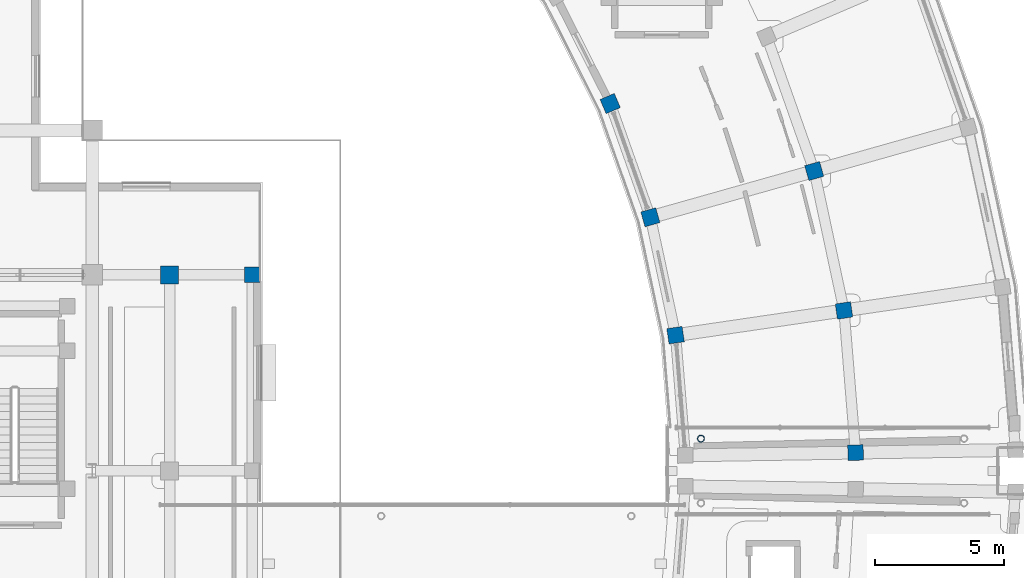
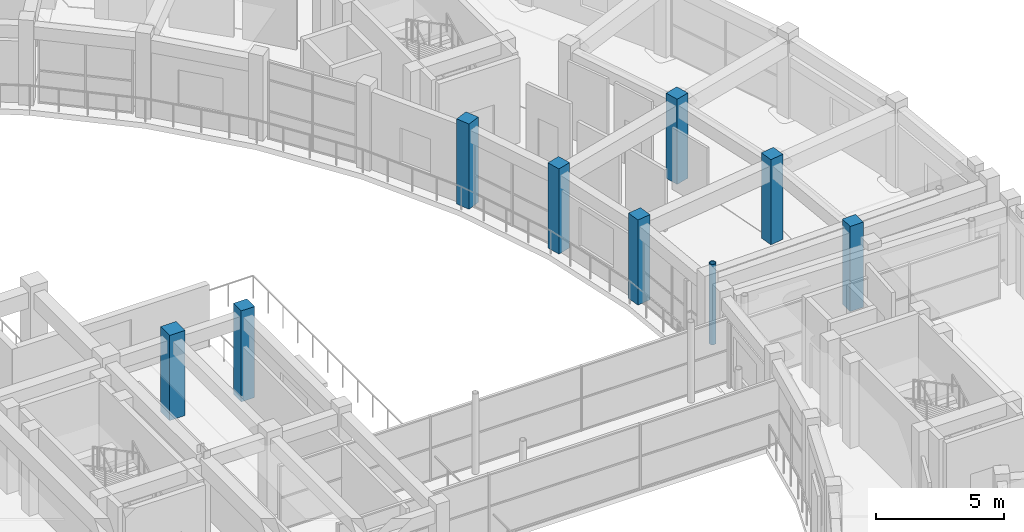
# One storey, part 7 of 72: 9 columns.
"""IFC4 building model written with IfcOpenShell, lengths in metres."""

from ifc_helpers import new_model, si_unit, direction, frame, origin, origin_2d, place, context, subcontext, project, spatial, rectangle, hollow_circle, extrude, material, material_profile, profile_set, type_object, element, save


model = new_model("IFC4")

# Units and contexts
model_context = context("Model", 3, precision=1e-05, world=origin(), true_north=direction((0.0, 1.0)))
body_context = subcontext(model_context, "Body", "Model", "MODEL_VIEW")
ifc_project = project(units=[si_unit("LENGTHUNIT", "METRE"), si_unit("AREAUNIT", "SQUARE_METRE"), si_unit("VOLUMEUNIT", "CUBIC_METRE"), si_unit("PLANEANGLEUNIT", "RADIAN"), si_unit("MASSUNIT", "GRAM", prefix="KILO")], contexts=[model_context])

# Site, building, storey
site_placement = place(None, origin())
site = spatial("IfcSite", under=ifc_project, at=site_placement, CompositionType="ELEMENT")
building_placement = place(site_placement, origin())
building = spatial("IfcBuilding", under=site, at=building_placement, Name="Saryqyr Civic Hall", CompositionType="ELEMENT")
storey_placement = place(building_placement, frame((0.0, 0.0, 17.25)))
storey = spatial("IfcBuildingStorey", under=building, at=storey_placement, Name="L04", CompositionType="ELEMENT", Elevation=17.25)

# Columns
ifc_material_1 = material(Name="Steel S355", Category="steel")
ifc_material_profile_1 = material_profile(ifc_material_1, hollow_circle(Radius=0.136474609375, WallThickness=0.01611328125, at=origin_2d()), Name="CHS 273x16")
ifc_profile_set_1 = profile_set([ifc_material_profile_1], Name="Steel S355")
column_type_1 = type_object("IfcColumnType", Name="STR-COL-CHS273-S355", PredefinedType="COLUMN", material=ifc_profile_set_1)
column_1_placement = place(storey_placement, frame((93.800048828125, 85.25, 0.0), z_axis=(0.0, 0.0, 1.0), x_axis=(1.0, 0.0, 0.0)))
element("IfcColumn", 1, at=column_1_placement, inside=storey, type_object=column_type_1, Name="Column BRCOL-BR-E-4-L04", PredefinedType="COLUMN", context=body_context, shape_type="SweptSolid", body=[
    extrude(hollow_circle(Radius=0.136474609375, WallThickness=0.01611328125, at=origin_2d()), origin(), (0.0, 0.0, 1.0), 3.820068359375),
])
ifc_material_2 = material(Name="Concrete C40/50", Category="concrete")
ifc_material_profile_2 = material_profile(ifc_material_2, rectangle(XDim=0.60009765625, YDim=0.60009765625, at=origin_2d()), Name="RC 600x600")
ifc_profile_set_2 = profile_set([ifc_material_profile_2], Name="Concrete C40/50")
column_type_2 = type_object("IfcColumnType", Name="STR-COL-RC600-C40", PredefinedType="COLUMN", material=ifc_profile_set_2)
column_2_placement = place(storey_placement, frame((76.39990234375, 91.60009765625, -0.280029296875), z_axis=(0.0, 0.0, 1.0), x_axis=(1.0, 0.0, 0.0)))
element("IfcColumn", 2, at=column_2_placement, inside=storey, type_object=column_type_2, Name="Column V1-COL-TG-E3-L04", PredefinedType="COLUMN", context=body_context, shape_type="SweptSolid", body=[
    extrude(rectangle(XDim=0.60009765625, YDim=0.60009765625, at=origin_2d()), origin(), (0.0, 0.0, 1.0), 4.330078125),
])
for number, where, z_axis, x_axis, name in (
    (3, (99.794189453125, 84.709716796875, 0.0), (0.0, 0.0, 1.0), (0.999862544538, 0.016579868188, 0.0), "Column V6-COL-MID00-L04"),
    (4, (92.81591796875, 89.260009765625, 0.0), (0.0, 0.0, 1.0), (0.989399437751, 0.145219670077, 0.0), "Column V6-COL-IN01-L04"),
    (5, (99.345703125, 90.218994140625, 0.0), (0.0, 0.0, 1.0), (0.989399437751, 0.145219670077, 0.0), "Column V6-COL-MID01-L04"),
    (6, (91.839111328125, 93.832275390625, 0.0), (0.0, 0.0, 1.0), (0.962407846499, 0.271608425858, 0.0), "Column V6-COL-IN02-L04"),
    (7, (98.191162109375, 95.624755859375, 0.0), (0.0, 0.0, 1.0), (0.962407846499, 0.271608425858, 0.0), "Column V6-COL-MID02-L04"),
    (8, (90.281494140625, 98.240478515625, 0.0), (0.0, 0.0, 1.0), (0.919410138581, 0.393300136124, 0.0), "Column V6-COL-IN03-L04"),
):
    element("IfcColumn", number, at=place(storey_placement, frame(where, z_axis=z_axis, x_axis=x_axis)), inside=storey, type_object=column_type_2, Name=name, PredefinedType="COLUMN", context=body_context, shape_type="SweptSolid", body=[
        extrude(rectangle(XDim=0.60009765625, YDim=0.60009765625, at=origin_2d()), origin(), (0.0, 0.0, 1.0), 4.050048828125),
    ])
ifc_material_profile_3 = material_profile(ifc_material_2, rectangle(XDim=0.699951171875, YDim=0.699951171875, at=origin_2d()), Name="RC 700x700")
ifc_profile_set_3 = profile_set([ifc_material_profile_3], Name="Concrete C40/50")
column_type_3 = type_object("IfcColumnType", Name="STR-COL-RC700-C40", PredefinedType="COLUMN", material=ifc_profile_set_3)
column_3_placement = place(storey_placement, frame((73.199951171875, 91.60009765625, 0.0), z_axis=(0.0, 0.0, 1.0), x_axis=(1.0, 0.0, 0.0)))
element("IfcColumn", 9, at=column_3_placement, inside=storey, type_object=column_type_3, Name="Column V1-COL-S3P06-L04", PredefinedType="COLUMN", context=body_context, shape_type="SweptSolid", body=[
    extrude(rectangle(XDim=0.699951171875, YDim=0.699951171875, at=origin_2d()), origin(), (0.0, 0.0, 1.0), 4.050048828125),
])

save(model, "model.ifc")
